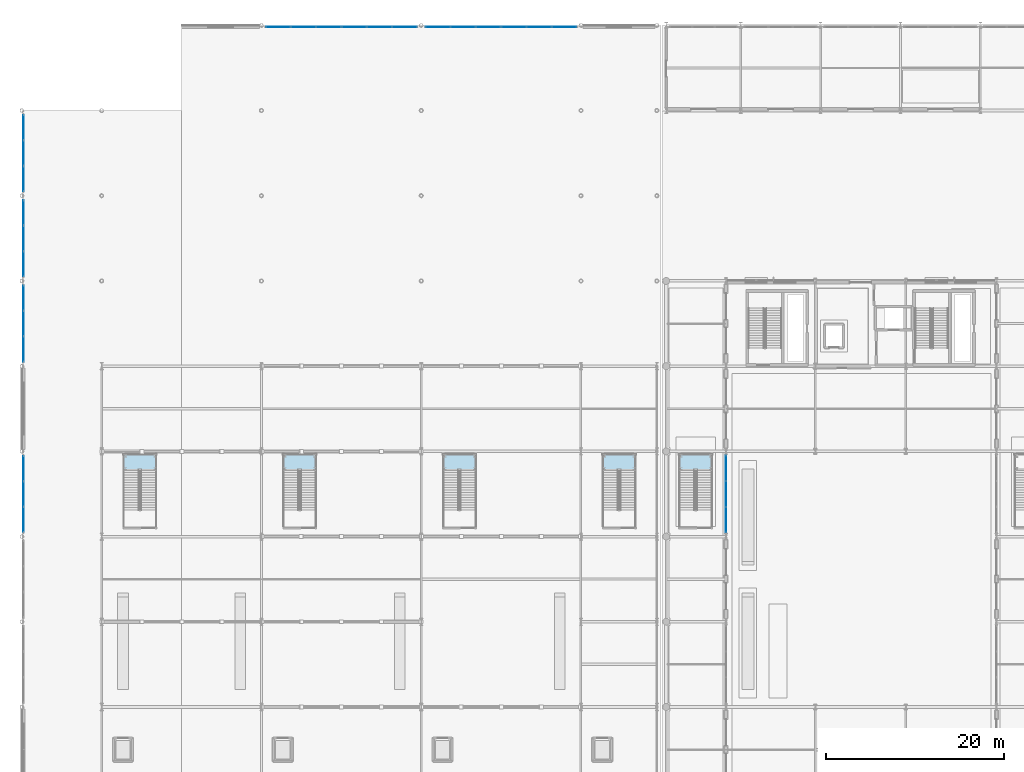
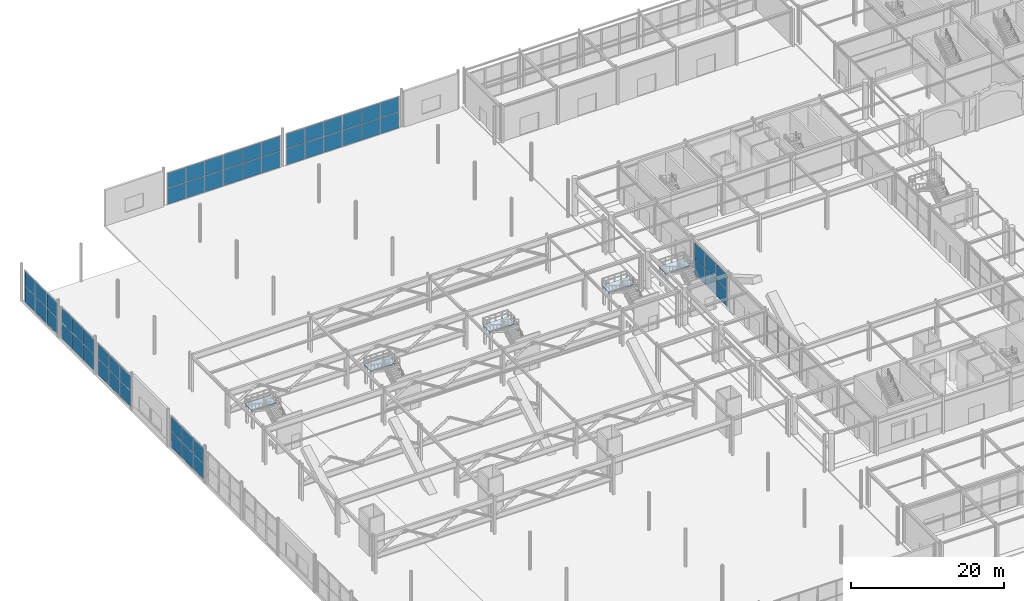
# One storey, part 49 of 113: 54 plates, 5 slabs, 14 elements without a shape of their own.
"""IFC4 building model written with IfcOpenShell, lengths in metres."""

from ifc_helpers import new_model, si_unit, direction, frame, origin, origin_2d, place, context, subcontext, project, spatial, polyline, rectangle, outline, extrude, material, layer, layer_set, type_object, element, aggregate, save


model = new_model("IFC4")

# Units and contexts
model_context = context("Model", 3, precision=1e-05, world=origin(), true_north=direction((0.0, 1.0)))
body_context = subcontext(model_context, "Body", "Model", "MODEL_VIEW")
ifc_project = project(units=[si_unit("LENGTHUNIT", "METRE"), si_unit("AREAUNIT", "SQUARE_METRE"), si_unit("VOLUMEUNIT", "CUBIC_METRE"), si_unit("PLANEANGLEUNIT", "RADIAN"), si_unit("MASSUNIT", "GRAM", prefix="KILO")], contexts=[model_context])

# Site, building, storey
site_placement = place(None, origin())
site = spatial("IfcSite", under=ifc_project, at=site_placement, CompositionType="ELEMENT")
building_placement = place(site_placement, origin())
building = spatial("IfcBuilding", under=site, at=building_placement, Name="Myrtia Square Station", CompositionType="ELEMENT")
storey_placement = place(building_placement, origin())
storey = spatial("IfcBuildingStorey", under=building, at=storey_placement, Name="L00", CompositionType="ELEMENT", Elevation=0.0)

# Curtain wall, plates
ifc_material_1 = material(Name="Dark bronze anodised aluminium", Category="aluminium")
ifc_layer_1 = layer(ifc_material_1, 0.159912109375, Name="Dark bronze anodised aluminium")
ifc_layer_set_1 = layer_set([ifc_layer_1], Name="Dark bronze anodised aluminium")
curtain_wall_type_1 = type_object("IfcCurtainWallType", Name="CW-TYPE-22-870x510", PredefinedType="USERDEFINED", material=ifc_layer_set_1)
curtain_wall_1_placement = place(storey_placement, origin())
curtain_wall_1 = element("IfcCurtainWall", 1, at=curtain_wall_1_placement, inside=storey, type_object=curtain_wall_type_1, Name="Concourse curtain wall CW-L00-078", ObjectType="CONCOURSE CURTAIN WALL", PredefinedType="USERDEFINED")
ifc_material_2 = material(Name="Tinted low-E solar control glass", Category="glass")
ifc_layer_2 = layer(ifc_material_2, 0.02392578125, Name="Tinted low-E solar control glass")
ifc_layer_set_2 = layer_set([ifc_layer_2], Name="Tinted low-E solar control glass")
plate_type_1 = type_object("IfcPlateType", Name="CWP-GLZ-24", PredefinedType="CURTAIN_PANEL", material=ifc_layer_set_2)
plate_1_placement = place(storey_placement, frame((0.199951171875, 69.11865234375, 0.074951171875), z_axis=(0.0, 0.0, 1.0), x_axis=(0.0, 1.0, 0.0)))
plate_1 = element("IfcPlate", 2, at=plate_1_placement, type_object=plate_type_1, Name="CW-078 panel 1.1", PredefinedType="CURTAIN_PANEL", context=body_context, shape_type="SweptSolid", body=[
    extrude(rectangle(XDim=2.78759765625, YDim=0.02392578125, at=origin_2d()), origin(), (0.0, 0.0, 1.0), 2.53955078125),
])
plate_2_placement = place(storey_placement, frame((0.199951171875, 69.11865234375, 2.689453125), z_axis=(0.0, 0.0, 1.0), x_axis=(0.0, 1.0, 0.0)))
plate_2 = element("IfcPlate", 3, at=plate_2_placement, type_object=plate_type_1, Name="CW-078 panel 1.2", PredefinedType="CURTAIN_PANEL", context=body_context, shape_type="SweptSolid", body=[
    extrude(rectangle(XDim=2.78759765625, YDim=0.02392578125, at=origin_2d()), origin(), (0.0, 0.0, 1.0), 2.33544921875),
])
plate_3_placement = place(storey_placement, frame((0.199951171875, 72.0, 0.074951171875), z_axis=(0.0, 0.0, 1.0), x_axis=(0.0, 1.0, 0.0)))
plate_3 = element("IfcPlate", 4, at=plate_3_placement, type_object=plate_type_1, Name="CW-078 panel 2.1", PredefinedType="CURTAIN_PANEL", context=body_context, shape_type="SweptSolid", body=[
    extrude(rectangle(XDim=2.824951171875, YDim=0.02392578125, at=origin_2d()), origin(), (0.0, 0.0, 1.0), 2.53955078125),
])
plate_4_placement = place(storey_placement, frame((0.199951171875, 72.0, 2.689453125), z_axis=(0.0, 0.0, 1.0), x_axis=(0.0, 1.0, 0.0)))
plate_4 = element("IfcPlate", 5, at=plate_4_placement, type_object=plate_type_1, Name="CW-078 panel 2.2", PredefinedType="CURTAIN_PANEL", context=body_context, shape_type="SweptSolid", body=[
    extrude(rectangle(XDim=2.824951171875, YDim=0.02392578125, at=origin_2d()), origin(), (0.0, 0.0, 1.0), 2.33544921875),
])
plate_5_placement = place(storey_placement, frame((0.199951171875, 74.88134765625, 0.074951171875), z_axis=(0.0, 0.0, 1.0), x_axis=(0.0, 1.0, 0.0)))
plate_5 = element("IfcPlate", 6, at=plate_5_placement, type_object=plate_type_1, Name="CW-078 panel 3.1", PredefinedType="CURTAIN_PANEL", context=body_context, shape_type="SweptSolid", body=[
    extrude(rectangle(XDim=2.78759765625, YDim=0.02392578125, at=origin_2d()), origin(), (0.0, 0.0, 1.0), 2.53955078125),
])
plate_6_placement = place(storey_placement, frame((0.199951171875, 74.88134765625, 2.689453125), z_axis=(0.0, 0.0, 1.0), x_axis=(0.0, 1.0, 0.0)))
plate_6 = element("IfcPlate", 7, at=plate_6_placement, type_object=plate_type_1, Name="CW-078 panel 3.2", PredefinedType="CURTAIN_PANEL", context=body_context, shape_type="SweptSolid", body=[
    extrude(rectangle(XDim=2.78759765625, YDim=0.02392578125, at=origin_2d()), origin(), (0.0, 0.0, 1.0), 2.33544921875),
])
aggregate(curtain_wall_1, [plate_1, plate_2, plate_3, plate_4, plate_5, plate_6])

ifc_layer_3 = layer(ifc_material_1, 0.159912109375, Name="Dark bronze anodised aluminium")
ifc_layer_set_3 = layer_set([ifc_layer_3], Name="Dark bronze anodised aluminium")
curtain_wall_type_2 = type_object("IfcCurtainWallType", Name="CW-TYPE-24-855x510", PredefinedType="USERDEFINED", material=ifc_layer_set_3)
curtain_wall_2_placement = place(storey_placement, origin())
curtain_wall_2 = element("IfcCurtainWall", 8, at=curtain_wall_2_placement, inside=storey, type_object=curtain_wall_type_2, Name="Concourse curtain wall CW-L00-083", ObjectType="CONCOURSE CURTAIN WALL", PredefinedType="USERDEFINED")
plate_7_placement = place(storey_placement, frame((28.891357421875, 124.60009765625, 0.06494140625), z_axis=(0.0, 0.0, 1.0), x_axis=(1.0, 0.0, 0.0)))
plate_7 = element("IfcPlate", 9, at=plate_7_placement, type_object=plate_type_1, Name="CW-083 panel 1.1", PredefinedType="CURTAIN_PANEL", context=body_context, shape_type="SweptSolid", body=[
    extrude(rectangle(XDim=2.75244140625, YDim=0.02392578125, at=origin_2d()), origin(), (0.0, 0.0, 1.0), 2.554443359375),
])
plate_8_placement = place(storey_placement, frame((28.891357421875, 124.60009765625, 2.6845703125), z_axis=(0.0, 0.0, 1.0), x_axis=(1.0, 0.0, 0.0)))
plate_8 = element("IfcPlate", 10, at=plate_8_placement, type_object=plate_type_1, Name="CW-083 panel 1.2", PredefinedType="CURTAIN_PANEL", context=body_context, shape_type="SweptSolid", body=[
    extrude(rectangle(XDim=2.75244140625, YDim=0.02392578125, at=origin_2d()), origin(), (0.0, 0.0, 1.0), 2.3505859375),
])
plate_9_placement = place(storey_placement, frame((31.72509765625, 124.60009765625, 0.06494140625), z_axis=(0.0, 0.0, 1.0), x_axis=(1.0, 0.0, 0.0)))
plate_9 = element("IfcPlate", 11, at=plate_9_placement, type_object=plate_type_1, Name="CW-083 panel 2.1", PredefinedType="CURTAIN_PANEL", context=body_context, shape_type="SweptSolid", body=[
    extrude(rectangle(XDim=2.784912109375, YDim=0.02392578125, at=origin_2d()), origin(), (0.0, 0.0, 1.0), 2.554443359375),
])
plate_10_placement = place(storey_placement, frame((31.72509765625, 124.60009765625, 2.6845703125), z_axis=(0.0, 0.0, 1.0), x_axis=(1.0, 0.0, 0.0)))
plate_10 = element("IfcPlate", 12, at=plate_10_placement, type_object=plate_type_1, Name="CW-083 panel 2.2", PredefinedType="CURTAIN_PANEL", context=body_context, shape_type="SweptSolid", body=[
    extrude(rectangle(XDim=2.784912109375, YDim=0.02392578125, at=origin_2d()), origin(), (0.0, 0.0, 1.0), 2.3505859375),
])
plate_11_placement = place(storey_placement, frame((34.558837890625, 124.60009765625, 0.06494140625), z_axis=(0.0, 0.0, 1.0), x_axis=(1.0, 0.0, 0.0)))
plate_11 = element("IfcPlate", 13, at=plate_11_placement, type_object=plate_type_1, Name="CW-083 panel 3.1", PredefinedType="CURTAIN_PANEL", context=body_context, shape_type="SweptSolid", body=[
    extrude(rectangle(XDim=2.75244140625, YDim=0.02392578125, at=origin_2d()), origin(), (0.0, 0.0, 1.0), 2.554443359375),
])
plate_12_placement = place(storey_placement, frame((34.558837890625, 124.60009765625, 2.6845703125), z_axis=(0.0, 0.0, 1.0), x_axis=(1.0, 0.0, 0.0)))
plate_12 = element("IfcPlate", 14, at=plate_12_placement, type_object=plate_type_1, Name="CW-083 panel 3.2", PredefinedType="CURTAIN_PANEL", context=body_context, shape_type="SweptSolid", body=[
    extrude(rectangle(XDim=2.75244140625, YDim=0.02392578125, at=origin_2d()), origin(), (0.0, 0.0, 1.0), 2.3505859375),
])
aggregate(curtain_wall_2, [plate_7, plate_8, plate_9, plate_10, plate_11, plate_12])

curtain_wall_3_placement = place(storey_placement, origin())
curtain_wall_3 = element("IfcCurtainWall", 15, at=curtain_wall_3_placement, inside=storey, type_object=curtain_wall_type_2, Name="Concourse curtain wall CW-L00-087", ObjectType="CONCOURSE CURTAIN WALL", PredefinedType="USERDEFINED")
plate_13_placement = place(storey_placement, frame((46.891357421875, 124.60009765625, 0.06494140625), z_axis=(0.0, 0.0, 1.0), x_axis=(1.0, 0.0, 0.0)))
plate_13 = element("IfcPlate", 16, at=plate_13_placement, type_object=plate_type_1, Name="CW-087 panel 1.1", PredefinedType="CURTAIN_PANEL", context=body_context, shape_type="SweptSolid", body=[
    extrude(rectangle(XDim=2.75244140625, YDim=0.02392578125, at=origin_2d()), origin(), (0.0, 0.0, 1.0), 2.554443359375),
])
plate_14_placement = place(storey_placement, frame((46.891357421875, 124.60009765625, 2.6845703125), z_axis=(0.0, 0.0, 1.0), x_axis=(1.0, 0.0, 0.0)))
plate_14 = element("IfcPlate", 17, at=plate_14_placement, type_object=plate_type_1, Name="CW-087 panel 1.2", PredefinedType="CURTAIN_PANEL", context=body_context, shape_type="SweptSolid", body=[
    extrude(rectangle(XDim=2.75244140625, YDim=0.02392578125, at=origin_2d()), origin(), (0.0, 0.0, 1.0), 2.3505859375),
])
plate_15_placement = place(storey_placement, frame((49.72509765625, 124.60009765625, 0.06494140625), z_axis=(0.0, 0.0, 1.0), x_axis=(1.0, 0.0, 0.0)))
plate_15 = element("IfcPlate", 18, at=plate_15_placement, type_object=plate_type_1, Name="CW-087 panel 2.1", PredefinedType="CURTAIN_PANEL", context=body_context, shape_type="SweptSolid", body=[
    extrude(rectangle(XDim=2.784912109375, YDim=0.02392578125, at=origin_2d()), origin(), (0.0, 0.0, 1.0), 2.554443359375),
])
plate_16_placement = place(storey_placement, frame((49.72509765625, 124.60009765625, 2.6845703125), z_axis=(0.0, 0.0, 1.0), x_axis=(1.0, 0.0, 0.0)))
plate_16 = element("IfcPlate", 19, at=plate_16_placement, type_object=plate_type_1, Name="CW-087 panel 2.2", PredefinedType="CURTAIN_PANEL", context=body_context, shape_type="SweptSolid", body=[
    extrude(rectangle(XDim=2.784912109375, YDim=0.02392578125, at=origin_2d()), origin(), (0.0, 0.0, 1.0), 2.3505859375),
])
plate_17_placement = place(storey_placement, frame((52.558837890625, 124.60009765625, 0.06494140625), z_axis=(0.0, 0.0, 1.0), x_axis=(1.0, 0.0, 0.0)))
plate_17 = element("IfcPlate", 20, at=plate_17_placement, type_object=plate_type_1, Name="CW-087 panel 3.1", PredefinedType="CURTAIN_PANEL", context=body_context, shape_type="SweptSolid", body=[
    extrude(rectangle(XDim=2.75244140625, YDim=0.02392578125, at=origin_2d()), origin(), (0.0, 0.0, 1.0), 2.554443359375),
])
plate_18_placement = place(storey_placement, frame((52.558837890625, 124.60009765625, 2.6845703125), z_axis=(0.0, 0.0, 1.0), x_axis=(1.0, 0.0, 0.0)))
plate_18 = element("IfcPlate", 21, at=plate_18_placement, type_object=plate_type_1, Name="CW-087 panel 3.2", PredefinedType="CURTAIN_PANEL", context=body_context, shape_type="SweptSolid", body=[
    extrude(rectangle(XDim=2.75244140625, YDim=0.02392578125, at=origin_2d()), origin(), (0.0, 0.0, 1.0), 2.3505859375),
])
aggregate(curtain_wall_3, [plate_13, plate_14, plate_15, plate_16, plate_17, plate_18])

curtain_wall_4_placement = place(storey_placement, origin())
curtain_wall_4 = element("IfcCurtainWall", 22, at=curtain_wall_4_placement, inside=storey, type_object=curtain_wall_type_1, Name="Concourse curtain wall CW-L00-079", ObjectType="CONCOURSE CURTAIN WALL", PredefinedType="USERDEFINED")
ifc_layer_4 = layer(ifc_material_2, 0.028076171875, Name="Tinted low-E solar control glass")
ifc_layer_set_4 = layer_set([ifc_layer_4], Name="Tinted low-E solar control glass")
plate_type_2 = type_object("IfcPlateType", Name="CWP-GLZ-28", PredefinedType="CURTAIN_PANEL", material=ifc_layer_set_4)
plate_19_placement = place(storey_placement, frame((0.199951171875, 88.31884765625, 0.074951171875), z_axis=(0.0, 0.0, 1.0), x_axis=(0.0, 1.0, 0.0)))
plate_19 = element("IfcPlate", 23, at=plate_19_placement, type_object=plate_type_2, Name="CW-079 panel 1.1", PredefinedType="CURTAIN_PANEL", context=body_context, shape_type="SweptSolid", body=[
    extrude(rectangle(XDim=2.78759765625, YDim=0.028076171875, at=origin_2d()), origin(), (0.0, 0.0, 1.0), 2.53955078125),
])
plate_20_placement = place(storey_placement, frame((0.199951171875, 88.31884765625, 2.689453125), z_axis=(0.0, 0.0, 1.0), x_axis=(0.0, 1.0, 0.0)))
plate_20 = element("IfcPlate", 24, at=plate_20_placement, type_object=plate_type_2, Name="CW-079 panel 1.2", PredefinedType="CURTAIN_PANEL", context=body_context, shape_type="SweptSolid", body=[
    extrude(rectangle(XDim=2.78759765625, YDim=0.028076171875, at=origin_2d()), origin(), (0.0, 0.0, 1.0), 2.33544921875),
])
plate_21_placement = place(storey_placement, frame((0.199951171875, 91.199951171875, 0.074951171875), z_axis=(0.0, 0.0, 1.0), x_axis=(0.0, 1.0, 0.0)))
plate_21 = element("IfcPlate", 25, at=plate_21_placement, type_object=plate_type_2, Name="CW-079 panel 2.1", PredefinedType="CURTAIN_PANEL", context=body_context, shape_type="SweptSolid", body=[
    extrude(rectangle(XDim=2.824951171875, YDim=0.028076171875, at=origin_2d()), origin(), (0.0, 0.0, 1.0), 2.53955078125),
])
plate_22_placement = place(storey_placement, frame((0.199951171875, 91.199951171875, 2.689453125), z_axis=(0.0, 0.0, 1.0), x_axis=(0.0, 1.0, 0.0)))
plate_22 = element("IfcPlate", 26, at=plate_22_placement, type_object=plate_type_2, Name="CW-079 panel 2.2", PredefinedType="CURTAIN_PANEL", context=body_context, shape_type="SweptSolid", body=[
    extrude(rectangle(XDim=2.824951171875, YDim=0.028076171875, at=origin_2d()), origin(), (0.0, 0.0, 1.0), 2.33544921875),
])
plate_23_placement = place(storey_placement, frame((0.199951171875, 94.081298828125, 0.074951171875), z_axis=(0.0, 0.0, 1.0), x_axis=(0.0, 1.0, 0.0)))
plate_23 = element("IfcPlate", 27, at=plate_23_placement, type_object=plate_type_2, Name="CW-079 panel 3.1", PredefinedType="CURTAIN_PANEL", context=body_context, shape_type="SweptSolid", body=[
    extrude(rectangle(XDim=2.78759765625, YDim=0.028076171875, at=origin_2d()), origin(), (0.0, 0.0, 1.0), 2.53955078125),
])
plate_24_placement = place(storey_placement, frame((0.199951171875, 94.081298828125, 2.689453125), z_axis=(0.0, 0.0, 1.0), x_axis=(0.0, 1.0, 0.0)))
plate_24 = element("IfcPlate", 28, at=plate_24_placement, type_object=plate_type_2, Name="CW-079 panel 3.2", PredefinedType="CURTAIN_PANEL", context=body_context, shape_type="SweptSolid", body=[
    extrude(rectangle(XDim=2.78759765625, YDim=0.028076171875, at=origin_2d()), origin(), (0.0, 0.0, 1.0), 2.33544921875),
])
aggregate(curtain_wall_4, [plate_19, plate_20, plate_21, plate_22, plate_23, plate_24])

curtain_wall_5_placement = place(storey_placement, origin())
curtain_wall_5 = element("IfcCurtainWall", 29, at=curtain_wall_5_placement, inside=storey, type_object=curtain_wall_type_1, Name="Concourse curtain wall CW-L00-080", ObjectType="CONCOURSE CURTAIN WALL", PredefinedType="USERDEFINED")
ifc_layer_5 = layer(ifc_material_2, 0.031982421875, Name="Tinted low-E solar control glass")
ifc_layer_set_5 = layer_set([ifc_layer_5], Name="Tinted low-E solar control glass")
plate_type_3 = type_object("IfcPlateType", Name="CWP-GLZ-32", PredefinedType="CURTAIN_PANEL", material=ifc_layer_set_5)
plate_25_placement = place(storey_placement, frame((0.199951171875, 97.918701171875, 0.074951171875), z_axis=(0.0, 0.0, 1.0), x_axis=(0.0, 1.0, 0.0)))
plate_25 = element("IfcPlate", 30, at=plate_25_placement, type_object=plate_type_3, Name="CW-080 panel 1.1", PredefinedType="CURTAIN_PANEL", context=body_context, shape_type="SweptSolid", body=[
    extrude(rectangle(XDim=2.78759765625, YDim=0.031982421875, at=origin_2d()), origin(), (0.0, 0.0, 1.0), 2.53955078125),
])
plate_26_placement = place(storey_placement, frame((0.199951171875, 97.918701171875, 2.689453125), z_axis=(0.0, 0.0, 1.0), x_axis=(0.0, 1.0, 0.0)))
plate_26 = element("IfcPlate", 31, at=plate_26_placement, type_object=plate_type_3, Name="CW-080 panel 1.2", PredefinedType="CURTAIN_PANEL", context=body_context, shape_type="SweptSolid", body=[
    extrude(rectangle(XDim=2.78759765625, YDim=0.031982421875, at=origin_2d()), origin(), (0.0, 0.0, 1.0), 2.33544921875),
])
plate_27_placement = place(storey_placement, frame((0.199951171875, 100.800048828125, 0.074951171875), z_axis=(0.0, 0.0, 1.0), x_axis=(0.0, 1.0, 0.0)))
plate_27 = element("IfcPlate", 32, at=plate_27_placement, type_object=plate_type_3, Name="CW-080 panel 2.1", PredefinedType="CURTAIN_PANEL", context=body_context, shape_type="SweptSolid", body=[
    extrude(rectangle(XDim=2.824951171875, YDim=0.031982421875, at=origin_2d()), origin(), (0.0, 0.0, 1.0), 2.53955078125),
])
plate_28_placement = place(storey_placement, frame((0.199951171875, 100.800048828125, 2.689453125), z_axis=(0.0, 0.0, 1.0), x_axis=(0.0, 1.0, 0.0)))
plate_28 = element("IfcPlate", 33, at=plate_28_placement, type_object=plate_type_3, Name="CW-080 panel 2.2", PredefinedType="CURTAIN_PANEL", context=body_context, shape_type="SweptSolid", body=[
    extrude(rectangle(XDim=2.824951171875, YDim=0.031982421875, at=origin_2d()), origin(), (0.0, 0.0, 1.0), 2.33544921875),
])
plate_29_placement = place(storey_placement, frame((0.199951171875, 103.68115234375, 0.074951171875), z_axis=(0.0, 0.0, 1.0), x_axis=(0.0, 1.0, 0.0)))
plate_29 = element("IfcPlate", 34, at=plate_29_placement, type_object=plate_type_3, Name="CW-080 panel 3.1", PredefinedType="CURTAIN_PANEL", context=body_context, shape_type="SweptSolid", body=[
    extrude(rectangle(XDim=2.78759765625, YDim=0.031982421875, at=origin_2d()), origin(), (0.0, 0.0, 1.0), 2.53955078125),
])
plate_30_placement = place(storey_placement, frame((0.199951171875, 103.68115234375, 2.689453125), z_axis=(0.0, 0.0, 1.0), x_axis=(0.0, 1.0, 0.0)))
plate_30 = element("IfcPlate", 35, at=plate_30_placement, type_object=plate_type_3, Name="CW-080 panel 3.2", PredefinedType="CURTAIN_PANEL", context=body_context, shape_type="SweptSolid", body=[
    extrude(rectangle(XDim=2.78759765625, YDim=0.031982421875, at=origin_2d()), origin(), (0.0, 0.0, 1.0), 2.33544921875),
])
aggregate(curtain_wall_5, [plate_25, plate_26, plate_27, plate_28, plate_29, plate_30])

curtain_wall_6_placement = place(storey_placement, origin())
curtain_wall_6 = element("IfcCurtainWall", 36, at=curtain_wall_6_placement, inside=storey, type_object=curtain_wall_type_2, Name="Concourse curtain wall CW-L00-085", ObjectType="CONCOURSE CURTAIN WALL", PredefinedType="USERDEFINED")
plate_31_placement = place(storey_placement, frame((37.441162109375, 124.60009765625, 0.06494140625), z_axis=(0.0, 0.0, 1.0), x_axis=(1.0, 0.0, 0.0)))
plate_31 = element("IfcPlate", 37, at=plate_31_placement, type_object=plate_type_3, Name="CW-085 panel 1.1", PredefinedType="CURTAIN_PANEL", context=body_context, shape_type="SweptSolid", body=[
    extrude(rectangle(XDim=2.75244140625, YDim=0.031982421875, at=origin_2d()), origin(), (0.0, 0.0, 1.0), 2.554443359375),
])
plate_32_placement = place(storey_placement, frame((37.441162109375, 124.60009765625, 2.6845703125), z_axis=(0.0, 0.0, 1.0), x_axis=(1.0, 0.0, 0.0)))
plate_32 = element("IfcPlate", 38, at=plate_32_placement, type_object=plate_type_3, Name="CW-085 panel 1.2", PredefinedType="CURTAIN_PANEL", context=body_context, shape_type="SweptSolid", body=[
    extrude(rectangle(XDim=2.75244140625, YDim=0.031982421875, at=origin_2d()), origin(), (0.0, 0.0, 1.0), 2.3505859375),
])
plate_33_placement = place(storey_placement, frame((40.27490234375, 124.60009765625, 0.06494140625), z_axis=(0.0, 0.0, 1.0), x_axis=(1.0, 0.0, 0.0)))
plate_33 = element("IfcPlate", 39, at=plate_33_placement, type_object=plate_type_3, Name="CW-085 panel 2.1", PredefinedType="CURTAIN_PANEL", context=body_context, shape_type="SweptSolid", body=[
    extrude(rectangle(XDim=2.784912109375, YDim=0.031982421875, at=origin_2d()), origin(), (0.0, 0.0, 1.0), 2.554443359375),
])
plate_34_placement = place(storey_placement, frame((40.27490234375, 124.60009765625, 2.6845703125), z_axis=(0.0, 0.0, 1.0), x_axis=(1.0, 0.0, 0.0)))
plate_34 = element("IfcPlate", 40, at=plate_34_placement, type_object=plate_type_3, Name="CW-085 panel 2.2", PredefinedType="CURTAIN_PANEL", context=body_context, shape_type="SweptSolid", body=[
    extrude(rectangle(XDim=2.784912109375, YDim=0.031982421875, at=origin_2d()), origin(), (0.0, 0.0, 1.0), 2.3505859375),
])
plate_35_placement = place(storey_placement, frame((43.108642578125, 124.60009765625, 0.06494140625), z_axis=(0.0, 0.0, 1.0), x_axis=(1.0, 0.0, 0.0)))
plate_35 = element("IfcPlate", 41, at=plate_35_placement, type_object=plate_type_3, Name="CW-085 panel 3.1", PredefinedType="CURTAIN_PANEL", context=body_context, shape_type="SweptSolid", body=[
    extrude(rectangle(XDim=2.75244140625, YDim=0.031982421875, at=origin_2d()), origin(), (0.0, 0.0, 1.0), 2.554443359375),
])
plate_36_placement = place(storey_placement, frame((43.108642578125, 124.60009765625, 2.6845703125), z_axis=(0.0, 0.0, 1.0), x_axis=(1.0, 0.0, 0.0)))
plate_36 = element("IfcPlate", 42, at=plate_36_placement, type_object=plate_type_3, Name="CW-085 panel 3.2", PredefinedType="CURTAIN_PANEL", context=body_context, shape_type="SweptSolid", body=[
    extrude(rectangle(XDim=2.75244140625, YDim=0.031982421875, at=origin_2d()), origin(), (0.0, 0.0, 1.0), 2.3505859375),
])
aggregate(curtain_wall_6, [plate_31, plate_32, plate_33, plate_34, plate_35, plate_36])

curtain_wall_7_placement = place(storey_placement, origin())
curtain_wall_7 = element("IfcCurtainWall", 43, at=curtain_wall_7_placement, inside=storey, type_object=curtain_wall_type_2, Name="Concourse curtain wall CW-L00-089", ObjectType="CONCOURSE CURTAIN WALL", PredefinedType="USERDEFINED")
plate_37_placement = place(storey_placement, frame((55.441162109375, 124.60009765625, 0.06494140625), z_axis=(0.0, 0.0, 1.0), x_axis=(1.0, 0.0, 0.0)))
plate_37 = element("IfcPlate", 44, at=plate_37_placement, type_object=plate_type_3, Name="CW-089 panel 1.1", PredefinedType="CURTAIN_PANEL", context=body_context, shape_type="SweptSolid", body=[
    extrude(rectangle(XDim=2.75244140625, YDim=0.031982421875, at=origin_2d()), origin(), (0.0, 0.0, 1.0), 2.554443359375),
])
plate_38_placement = place(storey_placement, frame((55.441162109375, 124.60009765625, 2.6845703125), z_axis=(0.0, 0.0, 1.0), x_axis=(1.0, 0.0, 0.0)))
plate_38 = element("IfcPlate", 45, at=plate_38_placement, type_object=plate_type_3, Name="CW-089 panel 1.2", PredefinedType="CURTAIN_PANEL", context=body_context, shape_type="SweptSolid", body=[
    extrude(rectangle(XDim=2.75244140625, YDim=0.031982421875, at=origin_2d()), origin(), (0.0, 0.0, 1.0), 2.3505859375),
])
plate_39_placement = place(storey_placement, frame((58.27490234375, 124.60009765625, 0.06494140625), z_axis=(0.0, 0.0, 1.0), x_axis=(1.0, 0.0, 0.0)))
plate_39 = element("IfcPlate", 46, at=plate_39_placement, type_object=plate_type_3, Name="CW-089 panel 2.1", PredefinedType="CURTAIN_PANEL", context=body_context, shape_type="SweptSolid", body=[
    extrude(rectangle(XDim=2.784912109375, YDim=0.031982421875, at=origin_2d()), origin(), (0.0, 0.0, 1.0), 2.554443359375),
])
plate_40_placement = place(storey_placement, frame((58.27490234375, 124.60009765625, 2.6845703125), z_axis=(0.0, 0.0, 1.0), x_axis=(1.0, 0.0, 0.0)))
plate_40 = element("IfcPlate", 47, at=plate_40_placement, type_object=plate_type_3, Name="CW-089 panel 2.2", PredefinedType="CURTAIN_PANEL", context=body_context, shape_type="SweptSolid", body=[
    extrude(rectangle(XDim=2.784912109375, YDim=0.031982421875, at=origin_2d()), origin(), (0.0, 0.0, 1.0), 2.3505859375),
])
plate_41_placement = place(storey_placement, frame((61.108642578125, 124.60009765625, 0.06494140625), z_axis=(0.0, 0.0, 1.0), x_axis=(1.0, 0.0, 0.0)))
plate_41 = element("IfcPlate", 48, at=plate_41_placement, type_object=plate_type_3, Name="CW-089 panel 3.1", PredefinedType="CURTAIN_PANEL", context=body_context, shape_type="SweptSolid", body=[
    extrude(rectangle(XDim=2.75244140625, YDim=0.031982421875, at=origin_2d()), origin(), (0.0, 0.0, 1.0), 2.554443359375),
])
plate_42_placement = place(storey_placement, frame((61.108642578125, 124.60009765625, 2.6845703125), z_axis=(0.0, 0.0, 1.0), x_axis=(1.0, 0.0, 0.0)))
plate_42 = element("IfcPlate", 49, at=plate_42_placement, type_object=plate_type_3, Name="CW-089 panel 3.2", PredefinedType="CURTAIN_PANEL", context=body_context, shape_type="SweptSolid", body=[
    extrude(rectangle(XDim=2.75244140625, YDim=0.031982421875, at=origin_2d()), origin(), (0.0, 0.0, 1.0), 2.3505859375),
])
aggregate(curtain_wall_7, [plate_37, plate_38, plate_39, plate_40, plate_41, plate_42])

ifc_layer_6 = layer(ifc_material_1, 0.159912109375, Name="Dark bronze anodised aluminium")
ifc_layer_set_6 = layer_set([ifc_layer_6], Name="Dark bronze anodised aluminium")
curtain_wall_type_3 = type_object("IfcCurtainWallType", Name="CW-TYPE-01-870x519", PredefinedType="USERDEFINED", material=ifc_layer_set_6)
curtain_wall_8_placement = place(storey_placement, origin())
curtain_wall_8 = element("IfcCurtainWall", 50, at=curtain_wall_8_placement, inside=storey, type_object=curtain_wall_type_3, Name="Concourse curtain wall CW-L00-003", ObjectType="CONCOURSE CURTAIN WALL", PredefinedType="USERDEFINED")
ifc_layer_7 = layer(ifc_material_2, 0.035888671875, Name="Tinted low-E solar control glass")
ifc_layer_set_7 = layer_set([ifc_layer_7], Name="Tinted low-E solar control glass")
plate_type_4 = type_object("IfcPlateType", Name="CWP-GLZ-36", PredefinedType="CURTAIN_PANEL", material=ifc_layer_set_7)
plate_43_placement = place(storey_placement, frame((79.35009765625, 69.114990234375, 0.06005859375), z_axis=(0.0, 0.0, 1.0), x_axis=(0.0, 1.0, 0.0)))
plate_43 = element("IfcPlate", 51, at=plate_43_placement, type_object=plate_type_4, Name="CW-003 panel 1.1", PredefinedType="CURTAIN_PANEL", context=body_context, shape_type="SweptSolid", body=[
    extrude(rectangle(XDim=2.81005859375, YDim=0.035888671875, at=origin_2d()), origin(), (0.0, 0.0, 1.0), 2.60888671875),
])
plate_44_placement = place(storey_placement, frame((79.35009765625, 69.114990234375, 2.72900390625), z_axis=(0.0, 0.0, 1.0), x_axis=(0.0, 1.0, 0.0)))
plate_44 = element("IfcPlate", 52, at=plate_44_placement, type_object=plate_type_4, Name="CW-003 panel 1.2", PredefinedType="CURTAIN_PANEL", context=body_context, shape_type="SweptSolid", body=[
    extrude(rectangle(XDim=2.81005859375, YDim=0.035888671875, at=origin_2d()), origin(), (0.0, 0.0, 1.0), 2.40087890625),
])
plate_45_placement = place(storey_placement, frame((79.35009765625, 72.0, 0.06005859375), z_axis=(0.0, 0.0, 1.0), x_axis=(0.0, 1.0, 0.0)))
plate_45 = element("IfcPlate", 53, at=plate_45_placement, type_object=plate_type_4, Name="CW-003 panel 2.1", PredefinedType="CURTAIN_PANEL", context=body_context, shape_type="SweptSolid", body=[
    extrude(rectangle(XDim=2.840087890625, YDim=0.035888671875, at=origin_2d()), origin(), (0.0, 0.0, 1.0), 2.60888671875),
])
plate_46_placement = place(storey_placement, frame((79.35009765625, 72.0, 2.72900390625), z_axis=(0.0, 0.0, 1.0), x_axis=(0.0, 1.0, 0.0)))
plate_46 = element("IfcPlate", 54, at=plate_46_placement, type_object=plate_type_4, Name="CW-003 panel 2.2", PredefinedType="CURTAIN_PANEL", context=body_context, shape_type="SweptSolid", body=[
    extrude(rectangle(XDim=2.840087890625, YDim=0.035888671875, at=origin_2d()), origin(), (0.0, 0.0, 1.0), 2.40087890625),
])
plate_47_placement = place(storey_placement, frame((79.35009765625, 74.885009765625, 0.06005859375), z_axis=(0.0, 0.0, 1.0), x_axis=(0.0, 1.0, 0.0)))
plate_47 = element("IfcPlate", 55, at=plate_47_placement, type_object=plate_type_4, Name="CW-003 panel 3.1", PredefinedType="CURTAIN_PANEL", context=body_context, shape_type="SweptSolid", body=[
    extrude(rectangle(XDim=2.81005859375, YDim=0.035888671875, at=origin_2d()), origin(), (0.0, 0.0, 1.0), 2.60888671875),
])
plate_48_placement = place(storey_placement, frame((79.35009765625, 74.885009765625, 2.72900390625), z_axis=(0.0, 0.0, 1.0), x_axis=(0.0, 1.0, 0.0)))
plate_48 = element("IfcPlate", 56, at=plate_48_placement, type_object=plate_type_4, Name="CW-003 panel 3.2", PredefinedType="CURTAIN_PANEL", context=body_context, shape_type="SweptSolid", body=[
    extrude(rectangle(XDim=2.81005859375, YDim=0.035888671875, at=origin_2d()), origin(), (0.0, 0.0, 1.0), 2.40087890625),
])
aggregate(curtain_wall_8, [plate_43, plate_44, plate_45, plate_46, plate_47, plate_48])

curtain_wall_9_placement = place(storey_placement, origin())
curtain_wall_9 = element("IfcCurtainWall", 57, at=curtain_wall_9_placement, inside=storey, type_object=curtain_wall_type_1, Name="Concourse curtain wall CW-L00-081", ObjectType="CONCOURSE CURTAIN WALL", PredefinedType="USERDEFINED")
plate_49_placement = place(storey_placement, frame((0.199951171875, 107.518798828125, 0.074951171875), z_axis=(0.0, 0.0, 1.0), x_axis=(0.0, 1.0, 0.0)))
plate_49 = element("IfcPlate", 58, at=plate_49_placement, type_object=plate_type_4, Name="CW-081 panel 1.1", PredefinedType="CURTAIN_PANEL", context=body_context, shape_type="SweptSolid", body=[
    extrude(rectangle(XDim=2.78759765625, YDim=0.035888671875, at=origin_2d()), origin(), (0.0, 0.0, 1.0), 2.53955078125),
])
plate_50_placement = place(storey_placement, frame((0.199951171875, 107.518798828125, 2.689453125), z_axis=(0.0, 0.0, 1.0), x_axis=(0.0, 1.0, 0.0)))
plate_50 = element("IfcPlate", 59, at=plate_50_placement, type_object=plate_type_4, Name="CW-081 panel 1.2", PredefinedType="CURTAIN_PANEL", context=body_context, shape_type="SweptSolid", body=[
    extrude(rectangle(XDim=2.78759765625, YDim=0.035888671875, at=origin_2d()), origin(), (0.0, 0.0, 1.0), 2.33544921875),
])
plate_51_placement = place(storey_placement, frame((0.199951171875, 110.39990234375, 0.074951171875), z_axis=(0.0, 0.0, 1.0), x_axis=(0.0, 1.0, 0.0)))
plate_51 = element("IfcPlate", 60, at=plate_51_placement, type_object=plate_type_4, Name="CW-081 panel 2.1", PredefinedType="CURTAIN_PANEL", context=body_context, shape_type="SweptSolid", body=[
    extrude(rectangle(XDim=2.824951171875, YDim=0.035888671875, at=origin_2d()), origin(), (0.0, 0.0, 1.0), 2.53955078125),
])
plate_52_placement = place(storey_placement, frame((0.199951171875, 110.39990234375, 2.689453125), z_axis=(0.0, 0.0, 1.0), x_axis=(0.0, 1.0, 0.0)))
plate_52 = element("IfcPlate", 61, at=plate_52_placement, type_object=plate_type_4, Name="CW-081 panel 2.2", PredefinedType="CURTAIN_PANEL", context=body_context, shape_type="SweptSolid", body=[
    extrude(rectangle(XDim=2.824951171875, YDim=0.035888671875, at=origin_2d()), origin(), (0.0, 0.0, 1.0), 2.33544921875),
])
plate_53_placement = place(storey_placement, frame((0.199951171875, 113.28125, 0.074951171875), z_axis=(0.0, 0.0, 1.0), x_axis=(0.0, 1.0, 0.0)))
plate_53 = element("IfcPlate", 62, at=plate_53_placement, type_object=plate_type_4, Name="CW-081 panel 3.1", PredefinedType="CURTAIN_PANEL", context=body_context, shape_type="SweptSolid", body=[
    extrude(rectangle(XDim=2.78759765625, YDim=0.035888671875, at=origin_2d()), origin(), (0.0, 0.0, 1.0), 2.53955078125),
])
plate_54_placement = place(storey_placement, frame((0.199951171875, 113.28125, 2.689453125), z_axis=(0.0, 0.0, 1.0), x_axis=(0.0, 1.0, 0.0)))
plate_54 = element("IfcPlate", 63, at=plate_54_placement, type_object=plate_type_4, Name="CW-081 panel 3.2", PredefinedType="CURTAIN_PANEL", context=body_context, shape_type="SweptSolid", body=[
    extrude(rectangle(XDim=2.78759765625, YDim=0.035888671875, at=origin_2d()), origin(), (0.0, 0.0, 1.0), 2.33544921875),
])
aggregate(curtain_wall_9, [plate_49, plate_50, plate_51, plate_52, plate_53, plate_54])

# Stair, slab
ifc_material_3 = material(Name="Concrete C35/45", Category="concrete")
stair_type = type_object("IfcStairType", Name="STR-06-34R-1800W", PredefinedType="TWO_STRAIGHT_RUN_STAIR", material=ifc_material_3)
stair_1_placement = place(storey_placement, origin())
stair_1 = element("IfcStair", 64, at=stair_1_placement, inside=storey, type_object=stair_type, Name="L00 Platform interchange stair ST65", PredefinedType="TWO_STRAIGHT_RUN_STAIR")
ifc_layer_8 = layer(ifc_material_3, 0.25, Name="Concrete C35/45")
ifc_layer_set_8 = layer_set([ifc_layer_8], Name="Concrete C35/45")
slab_type = type_object("IfcSlabType", Name="SLB-LAND-250", PredefinedType="LANDING", material=ifc_layer_set_8)
slab_1_placement = place(storey_placement, frame((0.0, 0.0, 2.800048828125)))
slab_1 = element("IfcSlab", 65, at=slab_1_placement, type_object=slab_type, Name="ST65 landing 1", PredefinedType="LANDING", context=body_context, shape_type="SweptSolid", body=[
    extrude(outline(polyline([(15.199951171875, 74.679931640625), (15.199951171875, 76.5), (11.43994140625, 76.5), (11.43994140625, 74.679931640625), (15.199951171875, 74.679931640625)])), origin(), (0.0, 0.0, 1.0), 0.199951171875),
])
aggregate(stair_1, [slab_1])

stair_2_placement = place(storey_placement, origin())
stair_2 = element("IfcStair", 66, at=stair_2_placement, inside=storey, type_object=stair_type, Name="L00 Platform interchange stair ST66", PredefinedType="TWO_STRAIGHT_RUN_STAIR")
slab_2_placement = place(storey_placement, frame((0.0, 0.0, 2.800048828125)))
slab_2 = element("IfcSlab", 67, at=slab_2_placement, type_object=slab_type, Name="ST66 landing 1", PredefinedType="LANDING", context=body_context, shape_type="SweptSolid", body=[
    extrude(outline(polyline([(33.199951171875, 74.679931640625), (33.199951171875, 76.5), (29.43994140625, 76.5), (29.43994140625, 74.679931640625), (33.199951171875, 74.679931640625)])), origin(), (0.0, 0.0, 1.0), 0.199951171875),
])
aggregate(stair_2, [slab_2])

stair_3_placement = place(storey_placement, origin())
stair_3 = element("IfcStair", 68, at=stair_3_placement, inside=storey, type_object=stair_type, Name="L00 Platform interchange stair ST67", PredefinedType="TWO_STRAIGHT_RUN_STAIR")
slab_3_placement = place(storey_placement, frame((0.0, 0.0, 2.800048828125)))
slab_3 = element("IfcSlab", 69, at=slab_3_placement, type_object=slab_type, Name="ST67 landing 1", PredefinedType="LANDING", context=body_context, shape_type="SweptSolid", body=[
    extrude(outline(polyline([(51.199951171875, 74.679931640625), (51.199951171875, 76.5), (47.43994140625, 76.5), (47.43994140625, 74.679931640625), (51.199951171875, 74.679931640625)])), origin(), (0.0, 0.0, 1.0), 0.199951171875),
])
aggregate(stair_3, [slab_3])

stair_4_placement = place(storey_placement, origin())
stair_4 = element("IfcStair", 70, at=stair_4_placement, inside=storey, type_object=stair_type, Name="L00 Platform interchange stair ST68", PredefinedType="TWO_STRAIGHT_RUN_STAIR")
slab_4_placement = place(storey_placement, frame((0.0, 0.0, 2.800048828125)))
slab_4 = element("IfcSlab", 71, at=slab_4_placement, type_object=slab_type, Name="ST68 landing 1", PredefinedType="LANDING", context=body_context, shape_type="SweptSolid", body=[
    extrude(outline(polyline([(69.199951171875, 74.679931640625), (69.199951171875, 76.5), (65.43994140625, 76.5), (65.43994140625, 74.679931640625), (69.199951171875, 74.679931640625)])), origin(), (0.0, 0.0, 1.0), 0.199951171875),
])
aggregate(stair_4, [slab_4])

stair_5_placement = place(storey_placement, origin())
stair_5 = element("IfcStair", 72, at=stair_5_placement, inside=storey, type_object=stair_type, Name="L00 Platform interchange stair ST69", PredefinedType="TWO_STRAIGHT_RUN_STAIR")
slab_5_placement = place(storey_placement, frame((0.0, 0.0, 2.800048828125)))
slab_5 = element("IfcSlab", 73, at=slab_5_placement, type_object=slab_type, Name="ST69 landing 1", PredefinedType="LANDING", context=body_context, shape_type="SweptSolid", body=[
    extrude(outline(polyline([(77.800048828125, 74.679931640625), (77.800048828125, 76.5), (74.0400390625, 76.5), (74.0400390625, 74.679931640625), (77.800048828125, 74.679931640625)])), origin(), (0.0, 0.0, 1.0), 0.199951171875),
])
aggregate(stair_5, [slab_5])

save(model, "model.ifc")
